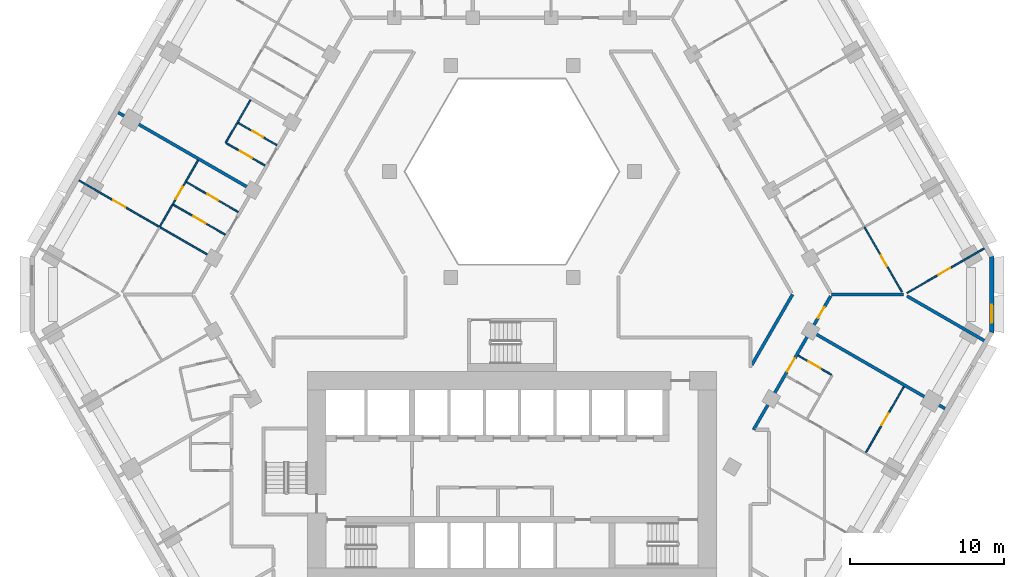
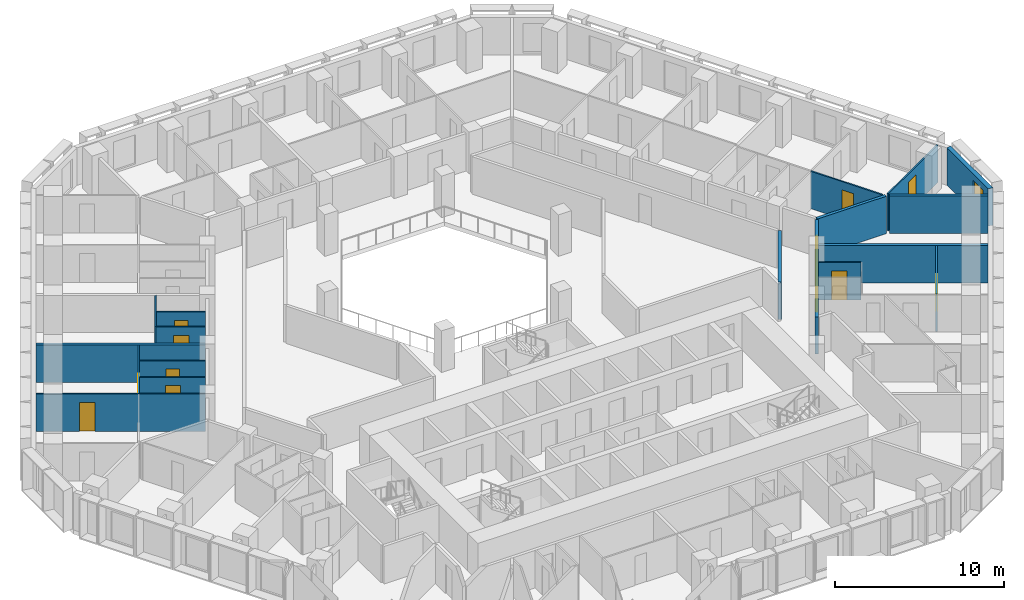
# One storey, part 7 of 16: 18 walls, 12 doors, 1 window, 13 openings.
"""IFC4 building model written with IfcOpenShell, lengths in metres."""

from ifc_helpers import new_model, si_unit, direction, frame, frame_2d, origin, place, context, subcontext, project, spatial, polyline, rectangle, outline, extrude, material, layer, layer_set, type_object, element, fill, save


model = new_model("IFC4")

# Units and contexts
model_context = context("Model", 3, precision=1e-05, world=origin(), true_north=direction((0.0, 1.0)))
body_context = subcontext(model_context, "Body", "Model", "MODEL_VIEW")
ifc_project = project(units=[si_unit("LENGTHUNIT", "METRE"), si_unit("AREAUNIT", "SQUARE_METRE"), si_unit("VOLUMEUNIT", "CUBIC_METRE"), si_unit("PLANEANGLEUNIT", "RADIAN"), si_unit("MASSUNIT", "GRAM", prefix="KILO")], contexts=[model_context])

# Site, building, storey
site_placement = place(None, origin())
site = spatial("IfcSite", under=ifc_project, at=site_placement, CompositionType="ELEMENT")
building_placement = place(site_placement, origin())
building = spatial("IfcBuilding", under=site, at=building_placement, Name="Beryl Residences", CompositionType="ELEMENT")
storey_placement = place(building_placement, frame((0.0, 0.0, 44.39990234375)))
storey = spatial("IfcBuildingStorey", under=building, at=storey_placement, Name="L13", CompositionType="ELEMENT", Elevation=44.39990234375)

# Wall, opening, window
ifc_material_1 = material(Name="Composite metal panel with mineral wool insulation")
ifc_layer_1 = layer(ifc_material_1, 0.300048828125)
ifc_layer_set_1 = layer_set([ifc_layer_1], Name="ES1 pale metal composite panel wall 300 mm")
wall_type_1 = type_object("IfcWallType", Name="ES1 pale metal composite panel wall 300 mm", PredefinedType="SOLIDWALL", material=ifc_layer_set_1)
wall_1_placement = place(storey_placement, frame((31.199951171875, -2.5, 0.0), z_axis=(0.0, 0.0, 1.0), x_axis=(0.0, 1.0, 0.0)))
wall_1 = element("IfcWall", 1, at=wall_1_placement, inside=storey, type_object=wall_type_1, Name="ES1 external wall L13 SE-NE", PredefinedType="SOLIDWALL", context=body_context, shape_type="SweptSolid", body=[
    extrude(outline(polyline([(0.0, -0.14990234375), (5.0, -0.14990234375), (4.919677734375, 0.14990234375), (0.080322265625, 0.14990234375), (0.0, -0.14990234375)])), origin(), (0.0, 0.0, 1.0), 2.7001953125),
])
opening_1_placement = place(wall_1_placement, frame((0.64990234375, 0.0, 0.14990234375)))
opening_1 = element("IfcOpeningElement", 2, at=opening_1_placement, cuts=wall_1, Name="Opening W2", PredefinedType="OPENING", context=body_context, shape_type="SweptSolid", body=[
    extrude(rectangle(XDim=1.199951171875, YDim=2.10009765625, at=frame_2d((0.60009765625, 1.050048828125))), frame((0.0, 0.159912109375, 0.0), z_axis=(0.0, -1.0, 0.0), x_axis=(1.0, 0.0, 0.0)), (0.0, 0.0, 1.0), 0.320068359375),
])
ifc_material_2 = material(Name="Aluminium and clear glass", Category="aluminium")
window_type = type_object("IfcWindowType", Name="W2 chamfer window 1200 x 2100 mm", PartitioningType="SINGLE_PANEL", PredefinedType="WINDOW", material=ifc_material_2)
window_placement = place(opening_1_placement, origin())
window = element("IfcWindow", 3, at=window_placement, inside=storey, type_object=window_type, Name="W2 window L13 SE-NE 1", OverallHeight=2.10009765625, OverallWidth=1.199951171875, PartitioningType="SINGLE_PANEL", PredefinedType="WINDOW", context=body_context, shape_type="SweptSolid", body=[
    extrude(rectangle(XDim=1.199951171875, YDim=2.10009765625, at=frame_2d((0.60009765625, 1.050048828125))), frame((0.0, 0.030029296875, 0.0), z_axis=(0.0, -1.0, 0.0), x_axis=(1.0, 0.0, 0.0)), (0.0, 0.0, 1.0), 0.06005859375),
])
fill(opening_1, window)

# Wall, opening, door
ifc_material_3 = material(Name="Gypsum board partition on steel studs", Category="steel")
ifc_layer_2 = layer(ifc_material_3, 0.10009765625)
ifc_layer_set_2 = layer_set([ifc_layer_2], Name="PT1 partition 100 mm gypsum board on steel studs")
wall_type_2 = type_object("IfcWallType", Name="PT1 partition 100 mm gypsum board on steel studs", PredefinedType="PARTITIONING", material=ifc_layer_set_2)
wall_2_placement = place(storey_placement, frame((-21.177001953125, 7.31396484375, 0.0), z_axis=(0.0, 0.0, 1.0), x_axis=(0.865979019114, -0.500080332001, 0.0)))
wall_2 = element("IfcWall", 4, at=wall_2_placement, inside=storey, type_object=wall_type_2, Name="Wall PT1 L13 011", PredefinedType="PARTITIONING", context=body_context, shape_type="SweptSolid", body=[
    extrude(rectangle(XDim=3.897216796875, YDim=0.10009765625, at=frame_2d((1.94873046875, 0.0))), origin(), (0.0, 0.0, 1.0), 2.7001953125),
])
opening_2_placement = place(wall_2_placement, frame((1.573974609375, 0.0, 0.0)))
opening_2 = element("IfcOpeningElement", 5, at=opening_2_placement, cuts=wall_2, Name="Opening D0505", PredefinedType="OPENING", context=body_context, shape_type="SweptSolid", body=[
    extrude(rectangle(XDim=0.800048828125, YDim=2.10009765625, at=frame_2d((0.39990234375, 1.050048828125))), frame((0.0, 0.06005859375, 0.0), z_axis=(0.0, -1.0, 0.0), x_axis=(1.0, 0.0, 0.0)), (0.0, 0.0, 1.0), 0.1201171875),
])
ifc_material_4 = material(Name="Timber door leaf", Category="wood")
door_type_1 = type_object("IfcDoorType", Name="D3 bathroom door 800 x 2100 mm", OperationType="SINGLE_SWING_LEFT", PredefinedType="DOOR", material=ifc_material_4)
door_1_placement = place(opening_2_placement, origin())
door_1 = element("IfcDoor", 6, at=door_1_placement, inside=storey, type_object=door_type_1, Name="Door D0505 L13 001", OperationType="SINGLE_SWING_LEFT", OverallHeight=2.10009765625, OverallWidth=0.800048828125, PredefinedType="DOOR", context=body_context, shape_type="SweptSolid", body=[
    extrude(rectangle(XDim=0.800048828125, YDim=2.10009765625, at=frame_2d((0.39990234375, 1.050048828125))), frame((0.0, 0.02490234375, 0.0), z_axis=(0.0, -1.0, 0.0), x_axis=(1.0, 0.0, 0.0)), (0.0, 0.0, 1.0), 0.050048828125),
])
fill(opening_2, door_1)

wall_3_placement = place(storey_placement, frame((-22.027099609375, 5.842041015625, 0.0), z_axis=(0.0, 0.0, 1.0), x_axis=(0.865979019114, -0.500080332001, 0.0)))
wall_3 = element("IfcWall", 7, at=wall_3_placement, inside=storey, type_object=wall_type_2, Name="Wall PT1 L13 012", PredefinedType="PARTITIONING", context=body_context, shape_type="SweptSolid", body=[
    extrude(rectangle(XDim=3.897216796875, YDim=0.10009765625, at=frame_2d((1.94873046875, 0.0))), origin(), (0.0, 0.0, 1.0), 2.7001953125),
])
opening_3_placement = place(wall_3_placement, frame((1.52392578125, 0.0, 0.0)))
opening_3 = element("IfcOpeningElement", 8, at=opening_3_placement, cuts=wall_3, Name="Opening D0506", PredefinedType="OPENING", context=body_context, shape_type="SweptSolid", body=[
    extrude(rectangle(XDim=0.89990234375, YDim=2.10009765625, at=frame_2d((0.449951171875, 1.050048828125))), frame((0.0, 0.06005859375, 0.0), z_axis=(0.0, -1.0, 0.0), x_axis=(1.0, 0.0, 0.0)), (0.0, 0.0, 1.0), 0.1201171875),
])
ifc_material_5 = material(Name="Timber door leaf", Category="wood")
door_type_2 = type_object("IfcDoorType", Name="D2 room door 900 x 2100 mm", OperationType="SINGLE_SWING_LEFT", PredefinedType="DOOR", material=ifc_material_5)
door_2_placement = place(opening_3_placement, origin())
door_2 = element("IfcDoor", 9, at=door_2_placement, inside=storey, type_object=door_type_2, Name="Door D0506 L13 001", OperationType="SINGLE_SWING_RIGHT", OverallHeight=2.10009765625, OverallWidth=0.89990234375, PredefinedType="DOOR", context=body_context, shape_type="SweptSolid", body=[
    extrude(rectangle(XDim=0.89990234375, YDim=2.10009765625, at=frame_2d((0.449951171875, 1.050048828125))), frame((0.0, 0.02490234375, 0.0), z_axis=(0.0, -1.0, 0.0), x_axis=(1.0, 0.0, 0.0)), (0.0, 0.0, 1.0), 0.050048828125),
])
fill(opening_3, door_2)

wall_4_placement = place(storey_placement, frame((-28.1640625, 7.4189453125, 0.0), z_axis=(0.0, 0.0, 1.0), x_axis=(0.866047370643, -0.499961950354, 0.0)))
wall_4 = element("IfcWall", 10, at=wall_4_placement, inside=storey, type_object=wall_type_2, Name="Wall PT1 L13 013", PredefinedType="PARTITIONING", context=body_context, shape_type="SweptSolid", body=[
    extrude(rectangle(XDim=10.000732421875, YDim=0.10009765625, at=frame_2d((5.00048828125, 0.0))), origin(), (0.0, 0.0, 1.0), 2.7001953125),
])
opening_4_placement = place(wall_4_placement, frame((2.576904296875, 0.0, 0.0)))
opening_4 = element("IfcOpeningElement", 11, at=opening_4_placement, cuts=wall_4, Name="Opening D0508", PredefinedType="OPENING", context=body_context, shape_type="SweptSolid", body=[
    extrude(rectangle(XDim=0.89990234375, YDim=2.10009765625, at=frame_2d((0.449951171875, 1.050048828125))), frame((0.0, 0.06005859375, 0.0), z_axis=(0.0, -1.0, 0.0), x_axis=(1.0, 0.0, 0.0)), (0.0, 0.0, 1.0), 0.1201171875),
])
door_3_placement = place(opening_4_placement, origin())
door_3 = element("IfcDoor", 12, at=door_3_placement, inside=storey, type_object=door_type_2, Name="Door D0508 L13 001", OperationType="SINGLE_SWING_RIGHT", OverallHeight=2.10009765625, OverallWidth=0.89990234375, PredefinedType="DOOR", context=body_context, shape_type="SweptSolid", body=[
    extrude(rectangle(XDim=0.89990234375, YDim=2.10009765625, at=frame_2d((0.449951171875, 1.050048828125))), frame((0.0, 0.02490234375, 0.0), z_axis=(0.0, -1.0, 0.0), x_axis=(1.0, 0.0, 0.0)), (0.0, 0.0, 1.0), 0.050048828125),
])
fill(opening_4, door_3)

wall_5_placement = place(storey_placement, frame((-18.576904296875, 9.841064453125, 0.0), z_axis=(0.0, 0.0, 1.0), x_axis=(0.865899003441, -0.500218867937, 0.0)))
wall_5 = element("IfcWall", 13, at=wall_5_placement, inside=storey, type_object=wall_type_2, Name="Wall PT1 L13 014", PredefinedType="PARTITIONING", context=body_context, shape_type="SweptSolid", body=[
    extrude(rectangle(XDim=2.908935546875, YDim=0.10009765625, at=frame_2d((1.45458984375, 0.0))), origin(), (0.0, 0.0, 1.0), 2.7001953125),
])
opening_5_placement = place(wall_5_placement, frame((1.029052734375, 0.0, 0.0)))
opening_5 = element("IfcOpeningElement", 14, at=opening_5_placement, cuts=wall_5, Name="Opening D0502", PredefinedType="OPENING", context=body_context, shape_type="SweptSolid", body=[
    extrude(rectangle(XDim=0.89990234375, YDim=2.10009765625, at=frame_2d((0.449951171875, 1.050048828125))), frame((0.0, 0.06005859375, 0.0), z_axis=(0.0, -1.0, 0.0), x_axis=(1.0, 0.0, 0.0)), (0.0, 0.0, 1.0), 0.1201171875),
])
door_4_placement = place(opening_5_placement, origin())
door_4 = element("IfcDoor", 15, at=door_4_placement, inside=storey, type_object=door_type_2, Name="Door D0502 L13 001", OperationType="SINGLE_SWING_RIGHT", OverallHeight=2.10009765625, OverallWidth=0.89990234375, PredefinedType="DOOR", context=body_context, shape_type="SweptSolid", body=[
    extrude(rectangle(XDim=0.89990234375, YDim=2.10009765625, at=frame_2d((0.449951171875, 1.050048828125))), frame((0.0, 0.02490234375, 0.0), z_axis=(0.0, -1.0, 0.0), x_axis=(1.0, 0.0, 0.0)), (0.0, 0.0, 1.0), 0.050048828125),
])
fill(opening_5, door_4)

wall_6_placement = place(storey_placement, frame((18.610107421875, -3.966064453125, 0.0), z_axis=(0.0, 0.0, 1.0), x_axis=(0.865958718457, -0.500115484592, 0.0)))
wall_6 = element("IfcWall", 16, at=wall_6_placement, inside=storey, type_object=wall_type_2, Name="Wall PT1 L13 019", PredefinedType="PARTITIONING", context=body_context, shape_type="SweptSolid", body=[
    extrude(rectangle(XDim=2.50927734375, YDim=0.10009765625, at=frame_2d((1.254638671875, 0.0))), origin(), (0.0, 0.0, 1.0), 2.7001953125),
])
opening_6_placement = place(wall_6_placement, frame((0.780029296875, 0.0, 0.0)))
opening_6 = element("IfcOpeningElement", 17, at=opening_6_placement, cuts=wall_6, Name="Opening D0537", PredefinedType="OPENING", context=body_context, shape_type="SweptSolid", body=[
    extrude(rectangle(XDim=0.89990234375, YDim=2.10009765625, at=frame_2d((0.449951171875, 1.050048828125))), frame((0.0, 0.06005859375, 0.0), z_axis=(0.0, -1.0, 0.0), x_axis=(1.0, 0.0, 0.0)), (0.0, 0.0, 1.0), 0.1201171875),
])
door_5_placement = place(opening_6_placement, origin())
door_5 = element("IfcDoor", 18, at=door_5_placement, inside=storey, type_object=door_type_2, Name="Door D0537 L13 001", OperationType="SINGLE_SWING_LEFT", OverallHeight=2.10009765625, OverallWidth=0.89990234375, PredefinedType="DOOR", context=body_context, shape_type="SweptSolid", body=[
    extrude(rectangle(XDim=0.89990234375, YDim=2.10009765625, at=frame_2d((0.449951171875, 1.050048828125))), frame((0.0, 0.02490234375, 0.0), z_axis=(0.0, -1.0, 0.0), x_axis=(1.0, 0.0, 0.0)), (0.0, 0.0, 1.0), 0.050048828125),
])
fill(opening_6, door_5)

wall_7_placement = place(storey_placement, frame((-17.81298828125, 11.1669921875, 0.0), z_axis=(0.0, 0.0, 1.0), x_axis=(0.866087824531, -0.499891868507, 0.0)))
wall_7 = element("IfcWall", 19, at=wall_7_placement, inside=storey, type_object=wall_type_2, Name="Wall PT1 L13 021", PredefinedType="PARTITIONING", context=body_context, shape_type="SweptSolid", body=[
    extrude(rectangle(XDim=2.910888671875, YDim=0.10009765625, at=frame_2d((1.45556640625, 0.0))), origin(), (0.0, 0.0, 1.0), 2.7001953125),
])
opening_7_placement = place(wall_7_placement, frame((1.080078125, 0.0, 0.0)))
opening_7 = element("IfcOpeningElement", 20, at=opening_7_placement, cuts=wall_7, Name="Opening D0503", PredefinedType="OPENING", context=body_context, shape_type="SweptSolid", body=[
    extrude(rectangle(XDim=0.800048828125, YDim=2.10009765625, at=frame_2d((0.39990234375, 1.050048828125))), frame((0.0, 0.06005859375, 0.0), z_axis=(0.0, -1.0, 0.0), x_axis=(1.0, 0.0, 0.0)), (0.0, 0.0, 1.0), 0.1201171875),
])
door_6_placement = place(opening_7_placement, origin())
door_6 = element("IfcDoor", 21, at=door_6_placement, inside=storey, type_object=door_type_1, Name="Door D0503 L13 001", OperationType="SINGLE_SWING_LEFT", OverallHeight=2.10009765625, OverallWidth=0.800048828125, PredefinedType="DOOR", context=body_context, shape_type="SweptSolid", body=[
    extrude(rectangle(XDim=0.800048828125, YDim=2.10009765625, at=frame_2d((0.39990234375, 1.050048828125))), frame((0.0, 0.02490234375, 0.0), z_axis=(0.0, -1.0, 0.0), x_axis=(1.0, 0.0, 0.0)), (0.0, 0.0, 1.0), 0.050048828125),
])
fill(opening_7, door_6)

wall_8_placement = place(storey_placement, frame((23.012939453125, -10.281005859375, 0.0), z_axis=(0.0, 0.0, 1.0), x_axis=(0.499881743012, 0.866093668724, 0.0)))
wall_8 = element("IfcWall", 22, at=wall_8_placement, inside=storey, type_object=wall_type_2, Name="Wall PT1 L13 037", PredefinedType="PARTITIONING", context=body_context, shape_type="SweptSolid", body=[
    extrude(rectangle(XDim=4.953369140625, YDim=0.10009765625, at=frame_2d((2.4765625, 0.0))), origin(), (0.0, 0.0, 1.0), 2.7001953125),
])
opening_8_placement = place(wall_8_placement, frame((2.052001953125, 0.0, 0.0)))
opening_8 = element("IfcOpeningElement", 23, at=opening_8_placement, cuts=wall_8, Name="Opening D0539", PredefinedType="OPENING", context=body_context, shape_type="SweptSolid", body=[
    extrude(rectangle(XDim=0.89990234375, YDim=2.10009765625, at=frame_2d((0.449951171875, 1.050048828125))), frame((0.0, 0.06005859375, 0.0), z_axis=(0.0, -1.0, 0.0), x_axis=(1.0, 0.0, 0.0)), (0.0, 0.0, 1.0), 0.1201171875),
])
door_7_placement = place(opening_8_placement, origin())
door_7 = element("IfcDoor", 24, at=door_7_placement, inside=storey, type_object=door_type_2, Name="Door D0539 L13 001", OperationType="SINGLE_SWING_LEFT", OverallHeight=2.10009765625, OverallWidth=0.89990234375, PredefinedType="DOOR", context=body_context, shape_type="SweptSolid", body=[
    extrude(rectangle(XDim=0.89990234375, YDim=2.10009765625, at=frame_2d((0.449951171875, 1.050048828125))), frame((0.0, 0.02490234375, 0.0), z_axis=(0.0, -1.0, 0.0), x_axis=(1.0, 0.0, 0.0)), (0.0, 0.0, 1.0), 0.050048828125),
])
fill(opening_8, door_7)

# Wall
wall_9_placement = place(storey_placement, frame((-18.62109375, 9.866943359375, 0.0), z_axis=(0.0, 0.0, 1.0), x_axis=(0.500197891286, 0.865911121047, 0.0)))
element("IfcWall", 25, at=wall_9_placement, inside=storey, type_object=wall_type_2, Name="Wall PT1 L13 038", PredefinedType="PARTITIONING", context=body_context, shape_type="SweptSolid", body=[
    extrude(rectangle(XDim=3.215087890625, YDim=0.10009765625, at=frame_2d((1.607421875, 0.0))), origin(), (0.0, 0.0, 1.0), 2.7001953125),
])

# Wall, opening, door
wall_10_placement = place(storey_placement, frame((25.69189453125, 0.10107421875, 0.0), z_axis=(0.0, 0.0, 1.0), x_axis=(0.866116197112, 0.49984270836, 0.0)))
wall_10 = element("IfcWall", 26, at=wall_10_placement, inside=storey, type_object=wall_type_2, Name="Wall PT1 L13 061", PredefinedType="PARTITIONING", context=body_context, shape_type="SweptSolid", body=[
    extrude(rectangle(XDim=5.799560546875, YDim=0.10009765625, at=frame_2d((2.89990234375, 0.0))), origin(), (0.0, 0.0, 1.0), 2.7001953125),
])
opening_9_placement = place(wall_10_placement, frame((2.35009765625, 0.0, 0.0)))
opening_9 = element("IfcOpeningElement", 27, at=opening_9_placement, cuts=wall_10, Name="Opening D0550", PredefinedType="OPENING", context=body_context, shape_type="SweptSolid", body=[
    extrude(rectangle(XDim=0.89990234375, YDim=2.10009765625, at=frame_2d((0.449951171875, 1.050048828125))), frame((0.0, 0.06005859375, 0.0), z_axis=(0.0, -1.0, 0.0), x_axis=(1.0, 0.0, 0.0)), (0.0, 0.0, 1.0), 0.1201171875),
])
door_8_placement = place(opening_9_placement, origin())
door_8 = element("IfcDoor", 28, at=door_8_placement, inside=storey, type_object=door_type_2, Name="Door D0550 L13 001", OperationType="SINGLE_SWING_RIGHT", OverallHeight=2.10009765625, OverallWidth=0.89990234375, PredefinedType="DOOR", context=body_context, shape_type="SweptSolid", body=[
    extrude(rectangle(XDim=0.89990234375, YDim=2.10009765625, at=frame_2d((0.449951171875, 1.050048828125))), frame((0.0, 0.02490234375, 0.0), z_axis=(0.0, -1.0, 0.0), x_axis=(1.0, 0.0, 0.0)), (0.0, 0.0, 1.0), 0.050048828125),
])
fill(opening_9, door_8)

wall_11_placement = place(storey_placement, frame((22.9208984375, 4.39404296875, 0.0), z_axis=(0.0, 0.0, 1.0), x_axis=(0.500093956194, -0.865971151354, 0.0)))
wall_11 = element("IfcWall", 29, at=wall_11_placement, inside=storey, type_object=wall_type_2, Name="Wall PT1 L13 068", PredefinedType="PARTITIONING", context=body_context, shape_type="SweptSolid", body=[
    extrude(rectangle(XDim=4.873046875, YDim=0.10009765625, at=frame_2d((2.4365234375, 0.0))), origin(), (0.0, 0.0, 1.0), 2.7001953125),
])
opening_10_placement = place(wall_11_placement, frame((2.136962890625, 0.0, 0.0)))
opening_10 = element("IfcOpeningElement", 30, at=opening_10_placement, cuts=wall_11, Name="Opening D0551", PredefinedType="OPENING", context=body_context, shape_type="SweptSolid", body=[
    extrude(rectangle(XDim=0.800048828125, YDim=2.10009765625, at=frame_2d((0.39990234375, 1.050048828125))), frame((0.0, 0.06005859375, 0.0), z_axis=(0.0, -1.0, 0.0), x_axis=(1.0, 0.0, 0.0)), (0.0, 0.0, 1.0), 0.1201171875),
])
door_9_placement = place(opening_10_placement, origin())
door_9 = element("IfcDoor", 31, at=door_9_placement, inside=storey, type_object=door_type_1, Name="Door D0551 L13 001", OperationType="SINGLE_SWING_LEFT", OverallHeight=2.10009765625, OverallWidth=0.800048828125, PredefinedType="DOOR", context=body_context, shape_type="SweptSolid", body=[
    extrude(rectangle(XDim=0.800048828125, YDim=2.10009765625, at=frame_2d((0.39990234375, 1.050048828125))), frame((0.0, 0.02490234375, 0.0), z_axis=(0.0, -1.0, 0.0), x_axis=(1.0, 0.0, 0.0)), (0.0, 0.0, 1.0), 0.050048828125),
])
fill(opening_10, door_9)

wall_12_placement = place(storey_placement, frame((-22.9208984375, 4.39208984375, 0.0), z_axis=(0.0, 0.0, 1.0), x_axis=(0.499958946799, 0.866049104564, 0.0)))
wall_12 = element("IfcWall", 32, at=wall_12_placement, inside=storey, type_object=wall_type_2, Name="Wall PT1 L13 071", PredefinedType="PARTITIONING", context=body_context, shape_type="SweptSolid", body=[
    extrude(rectangle(XDim=5.00439453125, YDim=0.10009765625, at=frame_2d((2.502197265625, 0.0))), origin(), (0.0, 0.0, 1.0), 2.7001953125),
])
opening_11_placement = place(wall_12_placement, frame((2.10302734375, 0.0, 0.0)))
opening_11 = element("IfcOpeningElement", 33, at=opening_11_placement, cuts=wall_12, Name="Opening D0507", PredefinedType="OPENING", context=body_context, shape_type="SweptSolid", body=[
    extrude(rectangle(XDim=0.89990234375, YDim=2.10009765625, at=frame_2d((0.449951171875, 1.050048828125))), frame((0.0, 0.06005859375, 0.0), z_axis=(0.0, -1.0, 0.0), x_axis=(1.0, 0.0, 0.0)), (0.0, 0.0, 1.0), 0.1201171875),
])
door_10_placement = place(opening_11_placement, origin())
door_10 = element("IfcDoor", 34, at=door_10_placement, inside=storey, type_object=door_type_2, Name="Door D0507 L13 001", OperationType="SINGLE_SWING_LEFT", OverallHeight=2.10009765625, OverallWidth=0.89990234375, PredefinedType="DOOR", context=body_context, shape_type="SweptSolid", body=[
    extrude(rectangle(XDim=0.89990234375, YDim=2.10009765625, at=frame_2d((0.449951171875, 1.050048828125))), frame((0.0, 0.02490234375, 0.0), z_axis=(0.0, -1.0, 0.0), x_axis=(1.0, 0.0, 0.0)), (0.0, 0.0, 1.0), 0.050048828125),
])
fill(opening_11, door_10)

# Walls
ifc_material_6 = material(Name="Acoustic double stud gypsum board wall")
ifc_layer_3 = layer(ifc_material_6, 0.199951171875)
ifc_layer_set_3 = layer_set([ifc_layer_3], Name="PT3 party wall 200 mm acoustic double stud")
wall_type_3 = type_object("IfcWallType", Name="PT3 party wall 200 mm acoustic double stud", PredefinedType="PARTITIONING", material=ifc_layer_set_3)
for number, where, z_axis, x_axis, name in (
    (35, (-25.611083984375, 11.839111328125, 0.0), (0.0, 0.0, 1.0), (0.866022959057, -0.500004234368, 0.0), "Wall PT3 L13 005"),
    (36, (19.5029296875, -2.4189453125, 0.0), (0.0, 0.0, 1.0), (0.866022959057, -0.500004234368, 0.0), "Wall PT3 L13 006"),
):
    element("IfcWall", number, at=place(storey_placement, frame(where, z_axis=z_axis, x_axis=x_axis)), inside=storey, type_object=wall_type_3, Name=name, PredefinedType="PARTITIONING", context=body_context, shape_type="SweptSolid", body=[
        extrude(rectangle(XDim=10.0, YDim=0.199951171875, at=frame_2d((5.0, 0.0))), origin(), (0.0, 0.0, 1.0), 2.7001953125),
    ])
wall_13_placement = place(storey_placement, frame((25.693115234375, -0.09912109375, 0.0), z_axis=(0.0, 0.0, 1.0), x_axis=(0.866032775405, -0.499987231761, 0.0)))
element("IfcWall", 37, at=wall_13_placement, inside=storey, type_object=wall_type_3, Name="Wall PT3 L13 007", PredefinedType="PARTITIONING", context=body_context, shape_type="SweptSolid", body=[
    extrude(rectangle(XDim=5.800048828125, YDim=0.199951171875, at=frame_2d((2.89990234375, 0.0))), origin(), (0.0, 0.0, 1.0), 2.7001953125),
])
wall_14_placement = place(storey_placement, frame((20.783935546875, 0.0009765625, 0.0), z_axis=(0.0, 0.0, 1.0), x_axis=(1.0, 0.0, 0.0)))
element("IfcWall", 38, at=wall_14_placement, inside=storey, type_object=wall_type_3, Name="Wall PT3 L13 010", PredefinedType="PARTITIONING", context=body_context, shape_type="SweptSolid", body=[
    extrude(rectangle(XDim=4.694091796875, YDim=0.199951171875, at=frame_2d((2.34716796875, 0.0))), origin(), (0.0, 0.0, 1.0), 2.7001953125),
])
ifc_material_7 = material(Name="Double stud gypsum board wall")
ifc_layer_4 = layer(ifc_material_7, 0.199951171875)
ifc_layer_set_4 = layer_set([ifc_layer_4], Name="PT4 corridor wall 200 mm double stud")
wall_type_4 = type_object("IfcWallType", Name="PT4 corridor wall 200 mm double stud", PredefinedType="PARTITIONING", material=ifc_layer_set_4)
wall_15_placement = place(storey_placement, frame((15.60009765625, -4.5791015625, 0.0), z_axis=(0.0, 0.0, 1.0), x_axis=(0.499927597274, 0.866067201483, 0.0)))
element("IfcWall", 39, at=wall_15_placement, inside=storey, type_object=wall_type_4, Name="Wall PT4 L13 021", PredefinedType="PARTITIONING", context=body_context, shape_type="SweptSolid", body=[
    extrude(rectangle(XDim=5.288330078125, YDim=0.199951171875, at=frame_2d((2.64404296875, 0.0))), origin(), (0.0, 0.0, 1.0), 2.7001953125),
])

# Wall, openings, doors
wall_16_placement = place(storey_placement, frame((15.70703125, -8.7939453125, 0.0), z_axis=(0.0, 0.0, 1.0), x_axis=(0.50000451406, 0.866022797575, 0.0)))
wall_16 = element("IfcWall", 40, at=wall_16_placement, inside=storey, type_object=wall_type_4, Name="Wall PT4 L13 022", PredefinedType="PARTITIONING", context=body_context, shape_type="SweptSolid", body=[
    extrude(rectangle(XDim=10.0400390625, YDim=0.199951171875, at=frame_2d((5.02001953125, 0.0))), origin(), (0.0, 0.0, 1.0), 2.7001953125),
])
opening_12_placement = place(wall_16_placement, frame((4.366943359375, 0.0, 0.0)))
opening_12 = element("IfcOpeningElement", 41, at=opening_12_placement, cuts=wall_16, Name="Opening D0536", PredefinedType="OPENING", context=body_context, shape_type="SweptSolid", body=[
    extrude(rectangle(XDim=1.0, YDim=2.10009765625, at=frame_2d((0.5, 1.050048828125))), frame((0.0, 0.10986328125, 0.0), z_axis=(0.0, -1.0, 0.0), x_axis=(1.0, 0.0, 0.0)), (0.0, 0.0, 1.0), 0.219970703125),
])
opening_13_placement = place(wall_16_placement, frame((8.402099609375, 0.0, 0.0)))
opening_13 = element("IfcOpeningElement", 42, at=opening_13_placement, cuts=wall_16, Name="Opening D0544", PredefinedType="OPENING", context=body_context, shape_type="SweptSolid", body=[
    extrude(rectangle(XDim=0.800048828125, YDim=2.10009765625, at=frame_2d((0.39990234375, 1.050048828125))), frame((0.0, 0.10986328125, 0.0), z_axis=(0.0, -1.0, 0.0), x_axis=(1.0, 0.0, 0.0)), (0.0, 0.0, 1.0), 0.219970703125),
])
ifc_material_8 = material(Name="Timber door leaf", Category="wood")
door_type_3 = type_object("IfcDoorType", Name="D1 flat entrance door 1000 x 2100 mm", OperationType="SINGLE_SWING_LEFT", PredefinedType="DOOR", material=ifc_material_8)
door_11_placement = place(opening_12_placement, origin())
door_11 = element("IfcDoor", 43, at=door_11_placement, inside=storey, type_object=door_type_3, Name="Door D0536 L13 001", OperationType="SINGLE_SWING_RIGHT", OverallHeight=2.10009765625, OverallWidth=1.0, PredefinedType="DOOR", context=body_context, shape_type="SweptSolid", body=[
    extrude(rectangle(XDim=1.0, YDim=2.10009765625, at=frame_2d((0.5, 1.050048828125))), frame((0.0, 0.02490234375, 0.0), z_axis=(0.0, -1.0, 0.0), x_axis=(1.0, 0.0, 0.0)), (0.0, 0.0, 1.0), 0.050048828125),
])
fill(opening_12, door_11)
door_12_placement = place(opening_13_placement, origin())
door_12 = element("IfcDoor", 44, at=door_12_placement, inside=storey, type_object=door_type_1, Name="Door D0544 L13 001", OperationType="SINGLE_SWING_RIGHT", OverallHeight=2.10009765625, OverallWidth=0.800048828125, PredefinedType="DOOR", context=body_context, shape_type="SweptSolid", body=[
    extrude(rectangle(XDim=0.800048828125, YDim=2.10009765625, at=frame_2d((0.39990234375, 1.050048828125))), frame((0.0, 0.02490234375, 0.0), z_axis=(0.0, -1.0, 0.0), x_axis=(1.0, 0.0, 0.0)), (0.0, 0.0, 1.0), 0.050048828125),
])
fill(opening_13, door_12)

save(model, "model.ifc")
